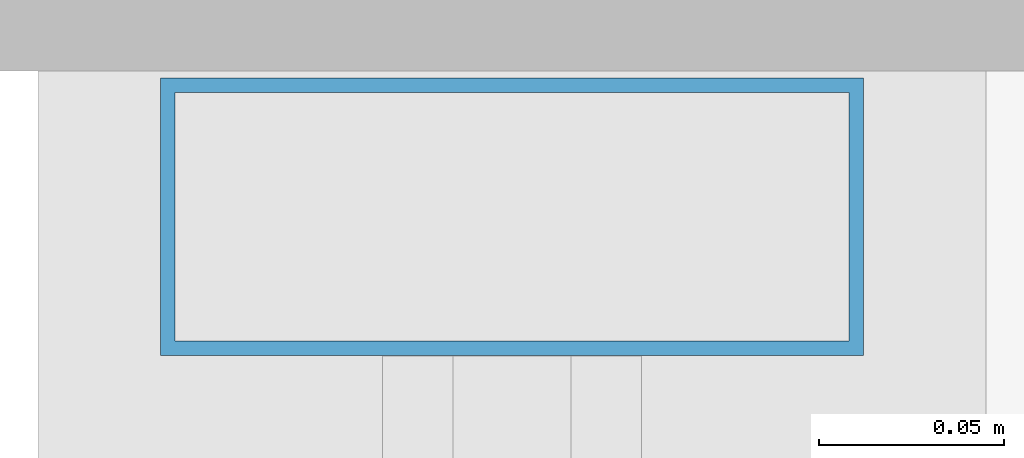
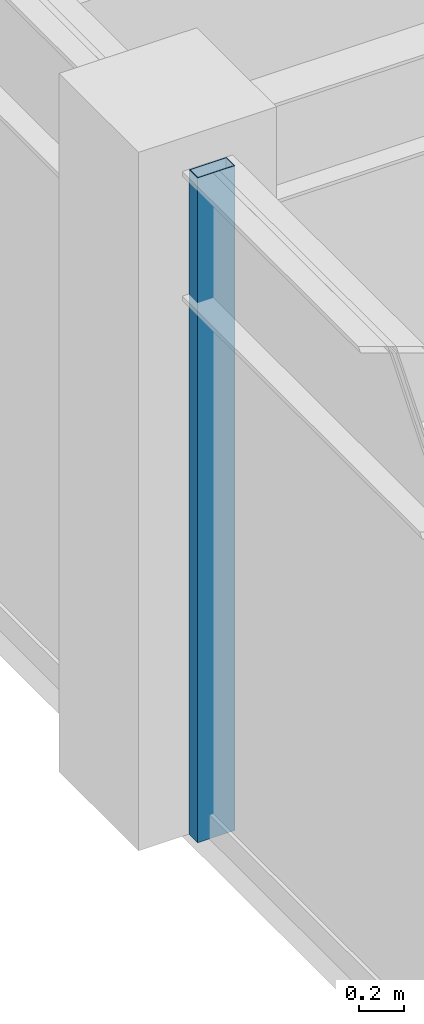
# One storey, part 8 of 30: 1 member, 1 element without a shape of its own.
"""IFC4 building model written with IfcOpenShell, lengths in metres."""

from ifc_helpers import new_model, si_unit, direction, frame, origin, origin_2d, place, context, subcontext, project, spatial, hollow_rectangle, extrude, material, layer, layer_set, material_profile, profile_set, type_object, element, aggregate, save


model = new_model("IFC4")

# Units and contexts
model_context = context("Model", 3, precision=1e-05, world=origin(), true_north=direction((0.0, 1.0)))
body_context = subcontext(model_context, "Body", "Model", "MODEL_VIEW")
ifc_project = project(units=[si_unit("LENGTHUNIT", "METRE"), si_unit("AREAUNIT", "SQUARE_METRE"), si_unit("VOLUMEUNIT", "CUBIC_METRE"), si_unit("PLANEANGLEUNIT", "RADIAN"), si_unit("MASSUNIT", "GRAM", prefix="KILO")], contexts=[model_context])

# Site, building, storey
site_placement = place(None, origin())
site = spatial("IfcSite", under=ifc_project, at=site_placement, CompositionType="ELEMENT")
building_placement = place(site_placement, origin())
building = spatial("IfcBuilding", under=site, at=building_placement, Name="Surkhivell Harbour Commons", CompositionType="ELEMENT")
storey_placement = place(building_placement, frame((0.0, 0.0, 296.25)))
storey = spatial("IfcBuildingStorey", under=building, at=storey_placement, Name="L77", CompositionType="ELEMENT", Elevation=296.25)

# Curtain wall, member
ifc_material_1 = material(Name="Anodised pale-metal aluminium and insulated glazing", Category="aluminium")
ifc_layer = layer(ifc_material_1, 0.175048828125)
ifc_layer_set = layer_set([ifc_layer], Name="Anodised pale-metal aluminium and insulated glazing")
curtain_wall_type = type_object("IfcCurtainWallType", Name="CW-SYS-Z4", PredefinedType="NOTDEFINED", material=ifc_layer_set)
curtain_wall_placement = place(storey_placement, origin())
curtain_wall = element("IfcCurtainWall", 1, at=curtain_wall_placement, inside=storey, type_object=curtain_wall_type, Name="L77 Curtain Wall CW-L77-E12S1", PredefinedType="NOTDEFINED")
ifc_material_2 = material(Name="Anodised pale-metal aluminium alloy 6063-T6", Category="aluminium")
ifc_material_profile = material_profile(ifc_material_2, hollow_rectangle(XDim=0.074951171875, YDim=0.18994140625, WallThickness=0.00390625, at=origin_2d()), Name="ALU-MULL-75x190")
ifc_profile_set = profile_set([ifc_material_profile], Name="Anodised pale-metal aluminium alloy 6063-T6")
member_type = type_object("IfcMemberType", Name="CWM-190", PredefinedType="MULLION", material=ifc_profile_set)
member_placement = place(storey_placement, frame((-27.0, -0.389404296875, 0.0), z_axis=(0.0, 0.0, 1.0), x_axis=(0.0, -1.0, 0.0)))
member = element("IfcMember", 2, at=member_placement, type_object=member_type, Name="CW-Z4 mullion 5", PredefinedType="MULLION", context=body_context, shape_type="SweptSolid", body=[
    extrude(hollow_rectangle(XDim=0.074951171875, YDim=0.18994140625, WallThickness=0.00390625, at=origin_2d()), origin(), (0.0, 0.0, 1.0), 3.570068359375),
])
aggregate(curtain_wall, [member])

save(model, "model.ifc")
